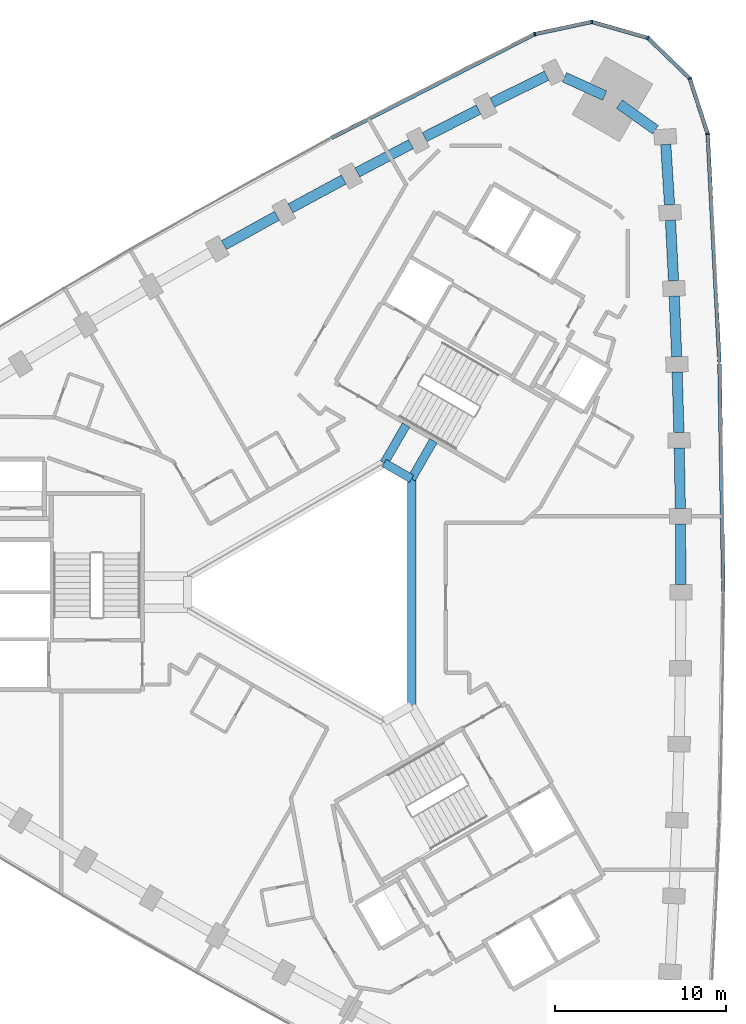
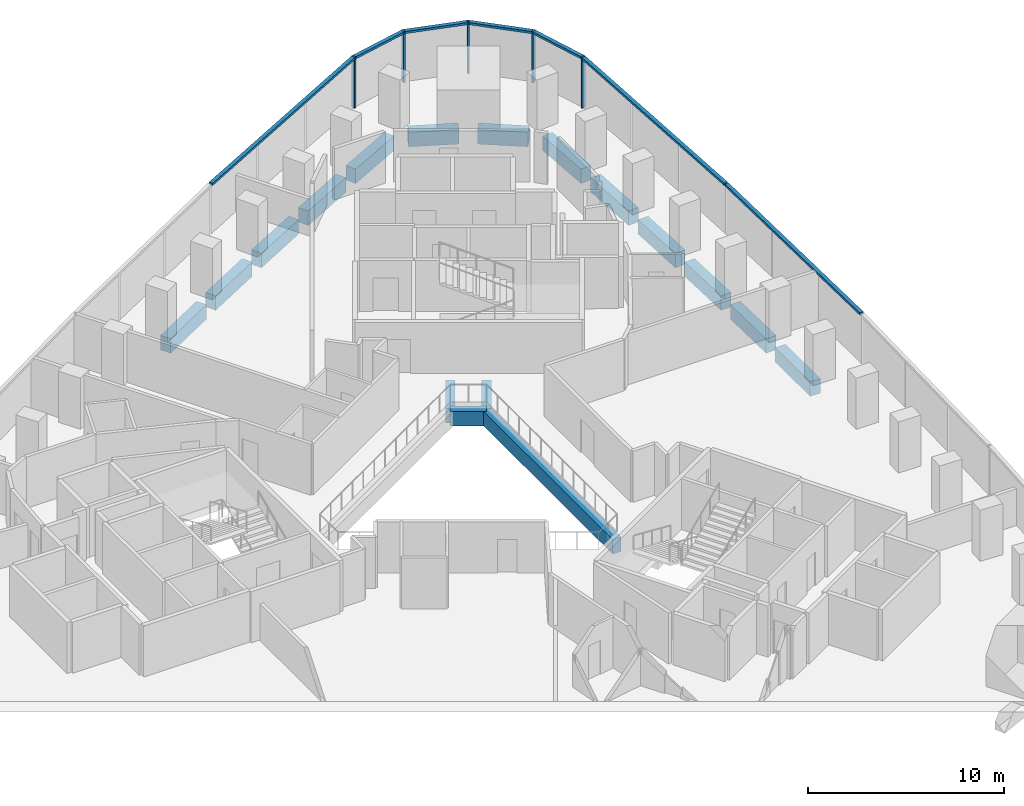
# One storey, part 5 of 12: 17 beams, 12 members, 2 elements without a shape of their own.
"""IFC4 building model written with IfcOpenShell, lengths in metres."""

from ifc_helpers import new_model, si_unit, direction, frame, origin, origin_2d, place, context, subcontext, project, spatial, rectangle, extrude, material, material_profile, profile_set, type_object, element, aggregate, save


model = new_model("IFC4")

# Units and contexts
model_context = context("Model", 3, precision=1e-05, world=origin(), true_north=direction((0.0, 1.0)))
body_context = subcontext(model_context, "Body", "Model", "MODEL_VIEW")
ifc_project = project(units=[si_unit("LENGTHUNIT", "METRE"), si_unit("AREAUNIT", "SQUARE_METRE"), si_unit("VOLUMEUNIT", "CUBIC_METRE"), si_unit("PLANEANGLEUNIT", "RADIAN"), si_unit("MASSUNIT", "GRAM", prefix="KILO")], contexts=[model_context])

# Site, building, storey
site_placement = place(None, origin())
site = spatial("IfcSite", under=ifc_project, at=site_placement, CompositionType="ELEMENT")
building_placement = place(site_placement, origin())
building = spatial("IfcBuilding", under=site, at=building_placement, Name="Tamra Quay Hotel Tower", CompositionType="ELEMENT")
storey_placement = place(building_placement, frame((0.0, 0.0, 104.60009765625)))
storey = spatial("IfcBuildingStorey", under=building, at=storey_placement, Name="L25", CompositionType="ELEMENT", Elevation=104.60009765625)

# Beams
ifc_material_1 = material(Name="Concrete M60", Category="concrete")
ifc_material_profile_1 = material_profile(ifc_material_1, rectangle(XDim=0.5, YDim=0.89990234375, at=origin_2d()), Name="ATRIUM EDGE BEAM RC 500x900")
ifc_profile_set_1 = profile_set([ifc_material_profile_1], Name="Concrete M60")
beam_type_1 = type_object("IfcBeamType", Name="ATRIUM EDGE BEAM RC 500x900", PredefinedType="BEAM", material=ifc_profile_set_1)
beam_1_placement = place(storey_placement, frame((4.89990234375, 6.639404296875, -0.875), z_axis=(0.0, -1.0, 0.0), x_axis=(1.0, 0.0, 0.0)))
element("IfcBeam", 1, at=beam_1_placement, inside=storey, type_object=beam_type_1, Name="BM-AB0-L25", PredefinedType="BEAM", context=body_context, shape_type="SweptSolid", body=[
    extrude(rectangle(XDim=0.5, YDim=0.89990234375, at=origin_2d()), origin(), (0.0, 0.0, 1.0), 13.27880859375),
])
beam_2_placement = place(storey_placement, frame((3.300048828125, 7.563232421875, -0.875), z_axis=(0.865989712182, -0.500061814573, 0.0), x_axis=(0.500061814573, 0.865989712182, 0.0)))
element("IfcBeam", 2, at=beam_2_placement, inside=storey, type_object=beam_type_1, Name="BM-AB5-L25", PredefinedType="BEAM", context=body_context, shape_type="SweptSolid", body=[
    extrude(rectangle(XDim=0.5, YDim=0.89990234375, at=origin_2d()), origin(), (0.0, 0.0, 1.0), 1.847412109375),
])
ifc_material_profile_2 = material_profile(ifc_material_1, rectangle(XDim=0.5, YDim=0.89990234375, at=origin_2d()), Name="ATRIUM TIE BEAM RC 500x900")
ifc_profile_set_2 = profile_set([ifc_material_profile_2], Name="Concrete M60")
beam_type_2 = type_object("IfcBeamType", Name="ATRIUM TIE BEAM RC 500x900", PredefinedType="BEAM", material=ifc_profile_set_2)
for number, where, z_axis, x_axis, name in (
    (3, (4.89990234375, 6.639404296875, -0.875), (0.50003311468, 0.866006284171, 0.0), (-0.866006284171, 0.50003311468, 0.0), "BM-TIE-0-L25"),
    (4, (3.300048828125, 7.563232421875, -0.875), (0.499961652204, 0.866047542763, 0.0), (-0.866047542763, 0.499961652204, 0.0), "BM-TIE-5-L25"),
):
    element("IfcBeam", number, at=place(storey_placement, frame(where, z_axis=z_axis, x_axis=x_axis)), inside=storey, type_object=beam_type_2, Name=name, PredefinedType="BEAM", context=body_context, shape_type="SweptSolid", body=[
        extrude(rectangle(XDim=0.5, YDim=0.89990234375, at=origin_2d()), origin(), (0.0, 0.0, 1.0), 2.562255859375),
    ])

# Curtain wall, members
ifc_material_2 = material(Name="Aluminium 6063 anodised dark grey", Category="aluminium")
curtain_wall_type_1 = type_object("IfcCurtainWallType", Name="CW1 CURTAIN WALL", PredefinedType="NOTDEFINED", material=ifc_material_2)
curtain_wall_1_placement = place(storey_placement, origin())
curtain_wall_1 = element("IfcCurtainWall", 5, at=curtain_wall_1_placement, inside=storey, type_object=curtain_wall_type_1, Name="CW1 east face L25", PredefinedType="NOTDEFINED")
ifc_material_profile_3 = material_profile(ifc_material_2, rectangle(XDim=0.219970703125, YDim=0.10009765625, at=origin_2d()), Name="MULLION 100X220")
ifc_profile_set_3 = profile_set([ifc_material_profile_3], Name="Aluminium 6063 anodised dark grey")
member_type_1 = type_object("IfcMemberType", Name="MULLION CW1 Z2", PredefinedType="MULLION", material=ifc_profile_set_3)
member_1_placement = place(storey_placement, frame((22.226318359375, 26.81787109375, 0.0), z_axis=(0.0, 0.0, 1.0), x_axis=(0.982419091866, 0.186688853275, 0.0)))
member_1 = element("IfcMember", 6, at=member_1_placement, type_object=member_type_1, Name="CW1 mullion L25.E.13", PredefinedType="MULLION", context=body_context, shape_type="SweptSolid", body=[
    extrude(rectangle(XDim=0.219970703125, YDim=0.10009765625, at=origin_2d()), origin(), (0.0, 0.0, 1.0), 3.1748046875),
])
member_2_placement = place(storey_placement, frame((21.1767578125, 30.062255859375, 0.0), z_axis=(0.0, 0.0, 1.0), x_axis=(0.848503146373, 0.529190334941, 0.0)))
member_2 = element("IfcMember", 7, at=member_2_placement, type_object=member_type_1, Name="CW1 mullion L25.E.14", PredefinedType="MULLION", context=body_context, shape_type="SweptSolid", body=[
    extrude(rectangle(XDim=0.219970703125, YDim=0.10009765625, at=origin_2d()), origin(), (0.0, 0.0, 1.0), 3.1748046875),
])
member_3_placement = place(storey_placement, frame((18.724853515625, 32.43212890625, 0.0), z_axis=(0.0, 0.0, 1.0), x_axis=(0.5, 0.866025403784, 0.0)))
member_3 = element("IfcMember", 8, at=member_3_placement, type_object=member_type_1, Name="CW1 mullion L25.E.15", PredefinedType="MULLION", context=body_context, shape_type="SweptSolid", body=[
    extrude(rectangle(XDim=0.219970703125, YDim=0.10009765625, at=origin_2d()), origin(), (0.0, 0.0, 1.0), 3.1748046875),
])
member_4_placement = place(storey_placement, frame((15.4462890625, 33.370849609375, 0.0), z_axis=(0.0, 0.0, 1.0), x_axis=(0.03404070031, 0.999420447421, 0.0)))
member_4 = element("IfcMember", 9, at=member_4_placement, type_object=member_type_1, Name="CW1 mullion L25.E.16", PredefinedType="MULLION", context=body_context, shape_type="SweptSolid", body=[
    extrude(rectangle(XDim=0.219970703125, YDim=0.10009765625, at=origin_2d()), origin(), (0.0, 0.0, 1.0), 3.1748046875),
])

# Curtain wall, member
curtain_wall_type_2 = type_object("IfcCurtainWallType", Name="CW2 CURTAIN WALL", PredefinedType="NOTDEFINED", material=ifc_material_2)
curtain_wall_2_placement = place(storey_placement, origin())
curtain_wall_2 = element("IfcCurtainWall", 10, at=curtain_wall_2_placement, inside=storey, type_object=curtain_wall_type_2, Name="CW2 north-west face L25", PredefinedType="NOTDEFINED")
ifc_material_profile_4 = material_profile(ifc_material_2, rectangle(XDim=0.219970703125, YDim=0.10009765625, at=origin_2d()), Name="MULLION 100X220")
ifc_profile_set_4 = profile_set([ifc_material_profile_4], Name="Aluminium 6063 anodised dark grey")
member_type_2 = type_object("IfcMemberType", Name="MULLION CW2 Z2", PredefinedType="MULLION", material=ifc_profile_set_4)
member_5_placement = place(storey_placement, frame((12.111572265625, 32.657470703125, 0.0), z_axis=(0.0, 0.0, 1.0), x_axis=(-0.329532256394, 0.944144317356, 0.0)))
member_5 = element("IfcMember", 11, at=member_5_placement, type_object=member_type_2, Name="CW2 mullion L25.NW.1", PredefinedType="MULLION", context=body_context, shape_type="SweptSolid", body=[
    extrude(rectangle(XDim=0.219970703125, YDim=0.10009765625, at=origin_2d()), origin(), (0.0, 0.0, 1.0), 3.1748046875),
])

# Beams
ifc_material_profile_5 = material_profile(ifc_material_1, rectangle(XDim=0.60009765625, YDim=0.89990234375, at=origin_2d()), Name="SPANDREL BEAM RC 600x900")
ifc_profile_set_5 = profile_set([ifc_material_profile_5], Name="Concrete M60")
beam_type_3 = type_object("IfcBeamType", Name="SPANDREL BEAM RC 600x900", PredefinedType="SPANDREL", material=ifc_profile_set_5)
beam_3_placement = place(storey_placement, frame((20.656494140625, 0.449951171875, -0.875), z_axis=(-0.005716160055, 0.999983662624, 0.0), x_axis=(-0.999983662624, -0.005716160055, 0.0)))
element("IfcBeam", 12, at=beam_3_placement, inside=storey, type_object=beam_type_3, Name="BM-SP2-006-L25", PredefinedType="SPANDREL", context=body_context, shape_type="SweptSolid", body=[
    extrude(rectangle(XDim=0.60009765625, YDim=0.89990234375, at=origin_2d()), origin(), (0.0, 0.0, 1.0), 3.544921875),
])
beam_4_placement = place(storey_placement, frame((20.6259765625, 4.894775390625, -0.875), z_axis=(-0.017149781635, 0.99985293168, 0.0), x_axis=(-0.99985293168, -0.017149781635, 0.0)))
element("IfcBeam", 13, at=beam_4_placement, inside=storey, type_object=beam_type_3, Name="BM-SP2-007-L25", PredefinedType="SPANDREL", context=body_context, shape_type="SweptSolid", body=[
    extrude(rectangle(XDim=0.60009765625, YDim=0.89990234375, at=origin_2d()), origin(), (0.0, 0.0, 1.0), 3.544677734375),
])
for number, where, z_axis, x_axis, name in (
    (14, (20.544677734375, 9.338623046875, -0.875), (-0.02858140136, 0.999591468299, 0.0), (-0.999591468299, -0.02858140136, 0.0), "BM-SP2-008-L25"),
    (15, (20.41259765625, 13.781494140625, -0.875), (-0.039946034354, 0.999201838639, 0.0), (-0.999201838639, -0.039946034354, 0.0), "BM-SP2-009-L25"),
):
    element("IfcBeam", number, at=place(storey_placement, frame(where, z_axis=z_axis, x_axis=x_axis)), inside=storey, type_object=beam_type_3, Name=name, PredefinedType="SPANDREL", context=body_context, shape_type="SweptSolid", body=[
        extrude(rectangle(XDim=0.60009765625, YDim=0.89990234375, at=origin_2d()), origin(), (0.0, 0.0, 1.0), 3.544921875),
    ])
beam_5_placement = place(storey_placement, frame((20.22998046875, 18.22265625, -0.875), z_axis=(-0.051311627905, 0.998682690769, 0.0), x_axis=(-0.998682690769, -0.051311627905, 0.0)))
element("IfcBeam", 16, at=beam_5_placement, inside=storey, type_object=beam_type_3, Name="BM-SP2-010-L25", PredefinedType="SPANDREL", context=body_context, shape_type="SweptSolid", body=[
    extrude(rectangle(XDim=0.60009765625, YDim=0.89990234375, at=origin_2d()), origin(), (0.0, 0.0, 1.0), 3.544677734375),
])
beam_6_placement = place(storey_placement, frame((19.99658203125, 22.661376953125, -0.875), z_axis=(-0.062669833409, 0.99803431403, 0.0), x_axis=(-0.99803431403, -0.062669833409, 0.0)))
element("IfcBeam", 17, at=beam_6_placement, inside=storey, type_object=beam_type_3, Name="BM-SP2-011-L25", PredefinedType="SPANDREL", context=body_context, shape_type="SweptSolid", body=[
    extrude(rectangle(XDim=0.60009765625, YDim=0.89990234375, at=origin_2d()), origin(), (0.0, 0.0, 1.0), 3.545166015625),
])
for number, where, z_axis, x_axis, name in (
    (18, (19.168701171875, 27.060302734375, -0.875), (-0.814339289036, 0.580389112865, 0.0), (-0.580389112865, -0.814339289036, 0.0), "BM-SP2-012-L25"),
    (19, (16.202392578125, 29.057861328125, -0.875), (-0.909819048293, 0.415005179923, 0.0), (-0.415005179923, -0.909819048293, 0.0), "BM-SP2-013-L25"),
):
    element("IfcBeam", number, at=place(storey_placement, frame(where, z_axis=z_axis, x_axis=x_axis)), inside=storey, type_object=beam_type_3, Name=name, PredefinedType="SPANDREL", context=body_context, shape_type="SweptSolid", body=[
        extrude(rectangle(XDim=0.60009765625, YDim=0.89990234375, at=origin_2d()), origin(), (0.0, 0.0, 1.0), 2.5849609375),
    ])
beam_7_placement = place(storey_placement, frame((12.802001953125, 30.22509765625, -0.875), z_axis=(-0.895622275285, -0.444815399928, 0.0), x_axis=(0.444815399928, -0.895622275285, 0.0)))
element("IfcBeam", 20, at=beam_7_placement, inside=storey, type_object=beam_type_3, Name="BM-SP2-014-L25", PredefinedType="SPANDREL", context=body_context, shape_type="SweptSolid", body=[
    extrude(rectangle(XDim=0.60009765625, YDim=0.89990234375, at=origin_2d()), origin(), (0.0, 0.0, 1.0), 3.545166015625),
])
beam_8_placement = place(storey_placement, frame((8.8232421875, 28.243408203125, -0.875), z_axis=(-0.890551251107, -0.45488291807, 0.0), x_axis=(0.45488291807, -0.890551251107, 0.0)))
element("IfcBeam", 21, at=beam_8_placement, inside=storey, type_object=beam_type_3, Name="BM-SP2-015-L25", PredefinedType="SPANDREL", context=body_context, shape_type="SweptSolid", body=[
    extrude(rectangle(XDim=0.60009765625, YDim=0.89990234375, at=origin_2d()), origin(), (0.0, 0.0, 1.0), 3.544921875),
])
beam_9_placement = place(storey_placement, frame((4.8671875, 26.216796875, -0.875), z_axis=(-0.885322773021, -0.464976975312, 0.0), x_axis=(0.464976975312, -0.885322773021, 0.0)))
element("IfcBeam", 22, at=beam_9_placement, inside=storey, type_object=beam_type_3, Name="BM-SP2-016-L25", PredefinedType="SPANDREL", context=body_context, shape_type="SweptSolid", body=[
    extrude(rectangle(XDim=0.60009765625, YDim=0.89990234375, at=origin_2d()), origin(), (0.0, 0.0, 1.0), 3.544677734375),
])
for number, where, z_axis, x_axis, name in (
    (23, (0.9345703125, 24.1455078125, -0.875), (-0.879950887438, -0.475064664753, 0.0), (0.475064664753, -0.879950887438, 0.0), "BM-SP2-017-L25"),
    (24, (-2.97412109375, 22.029296875, -0.875), (-0.874475461638, -0.48506975477, 0.0), (0.48506975477, -0.874475461638, 0.0), "BM-SP2-018-L25"),
):
    element("IfcBeam", number, at=place(storey_placement, frame(where, z_axis=z_axis, x_axis=x_axis)), inside=storey, type_object=beam_type_3, Name=name, PredefinedType="SPANDREL", context=body_context, shape_type="SweptSolid", body=[
        extrude(rectangle(XDim=0.60009765625, YDim=0.89990234375, at=origin_2d()), origin(), (0.0, 0.0, 1.0), 3.544921875),
    ])

# Member
ifc_material_profile_6 = material_profile(ifc_material_2, rectangle(XDim=0.219970703125, YDim=0.139892578125, at=origin_2d()), Name="TRANSOM 220X140")
ifc_profile_set_6 = profile_set([ifc_material_profile_6], Name="Aluminium 6063 anodised dark grey")
member_type_3 = type_object("IfcMemberType", Name="TRANSOM CW1 Z2", PredefinedType="USERDEFINED", material=ifc_profile_set_6)
member_6_placement = place(storey_placement, frame((23.14453125, 0.050048828125, 3.10498046875), z_axis=(-0.017138663343, 0.999853122323, 0.0), x_axis=(-0.999853122323, -0.017138663343, 0.0)))
member_6 = element("IfcMember", 25, at=member_6_placement, type_object=member_type_3, Name="CW1 transom L25.E.7", ObjectType="TRANSOM", PredefinedType="USERDEFINED", context=body_context, shape_type="SweptSolid", body=[
    extrude(rectangle(XDim=0.219970703125, YDim=0.139892578125, at=origin_2d()), origin(), (0.0, 0.0, 1.0), 13.319091796875),
])

member_7_placement = place(storey_placement, frame((22.912841796875, 13.46728515625, 3.10498046875), z_axis=(-0.051309919366, 0.998682778551, 0.0), x_axis=(-0.998682778551, -0.051309919366, 0.0)))
member_7 = element("IfcMember", 26, at=member_7_placement, type_object=member_type_3, Name="CW1 transom L25.E.10", ObjectType="TRANSOM", PredefinedType="USERDEFINED", context=body_context, shape_type="SweptSolid", body=[
    extrude(rectangle(XDim=0.219970703125, YDim=0.139892578125, at=origin_2d()), origin(), (0.0, 0.0, 1.0), 13.318115234375),
])

member_8_placement = place(storey_placement, frame((22.2109375, 26.865234375, 3.10498046875), z_axis=(-0.307784937637, 0.951455953875, 0.0), x_axis=(-0.951455953875, -0.307784937637, 0.0)))
member_8 = element("IfcMember", 27, at=member_8_placement, type_object=member_type_3, Name="CW1 transom L25.E.13", ObjectType="TRANSOM", PredefinedType="USERDEFINED", context=body_context, shape_type="SweptSolid", body=[
    extrude(rectangle(XDim=0.219970703125, YDim=0.139892578125, at=origin_2d()), origin(), (0.0, 0.0, 1.0), 3.31005859375),
])

member_9_placement = place(storey_placement, frame((21.140869140625, 30.09716796875, 3.10498046875), z_axis=(-0.719063315741, 0.694944564664, 0.0), x_axis=(-0.694944564664, -0.719063315741, 0.0)))
member_9 = element("IfcMember", 28, at=member_9_placement, type_object=member_type_3, Name="CW1 transom L25.E.14", ObjectType="TRANSOM", PredefinedType="USERDEFINED", context=body_context, shape_type="SweptSolid", body=[
    extrude(rectangle(XDim=0.219970703125, YDim=0.139892578125, at=origin_2d()), origin(), (0.0, 0.0, 1.0), 3.31005859375),
])

member_10_placement = place(storey_placement, frame((18.6767578125, 32.446044921875, 3.10498046875), z_axis=(-0.961393028347, 0.275178932778, 0.0), x_axis=(-0.275178932778, -0.961393028347, 0.0)))
member_10 = element("IfcMember", 29, at=member_10_placement, type_object=member_type_3, Name="CW1 transom L25.E.15", ObjectType="TRANSOM", PredefinedType="USERDEFINED", context=body_context, shape_type="SweptSolid", body=[
    extrude(rectangle(XDim=0.219970703125, YDim=0.139892578125, at=origin_2d()), origin(), (0.0, 0.0, 1.0), 3.31005859375),
])

member_11_placement = place(storey_placement, frame((15.3974609375, 33.3603515625, 3.10498046875), z_axis=(-0.977877907042, -0.209176477928, 0.0), x_axis=(0.209176477928, -0.977877907042, 0.0)))
member_11 = element("IfcMember", 30, at=member_11_placement, type_object=member_type_3, Name="CW1 transom L25.E.16", ObjectType="TRANSOM", PredefinedType="USERDEFINED", context=body_context, shape_type="SweptSolid", body=[
    extrude(rectangle(XDim=0.219970703125, YDim=0.139892578125, at=origin_2d()), origin(), (0.0, 0.0, 1.0), 3.31005859375),
])

aggregate(curtain_wall_1, [member_6, member_7, member_1, member_8, member_2, member_9, member_3, member_10, member_4, member_11])

ifc_material_profile_7 = material_profile(ifc_material_2, rectangle(XDim=0.219970703125, YDim=0.139892578125, at=origin_2d()), Name="TRANSOM 220X140")
ifc_profile_set_7 = profile_set([ifc_material_profile_7], Name="Aluminium 6063 anodised dark grey")
member_type_4 = type_object("IfcMemberType", Name="TRANSOM CW2 Z2", PredefinedType="USERDEFINED", material=ifc_profile_set_7)
member_12_placement = place(storey_placement, frame((12.06689453125, 32.63525390625, 3.10498046875), z_axis=(-0.890537010915, -0.45491079586, 0.0), x_axis=(0.45491079586, -0.890537010915, 0.0)))
member_12 = element("IfcMember", 31, at=member_12_placement, type_object=member_type_4, Name="CW2 transom L25.NW.1", ObjectType="TRANSOM", PredefinedType="USERDEFINED", context=body_context, shape_type="SweptSolid", body=[
    extrude(rectangle(XDim=0.219970703125, YDim=0.139892578125, at=origin_2d()), origin(), (0.0, 0.0, 1.0), 13.318115234375),
])

aggregate(curtain_wall_2, [member_5, member_12])

save(model, "model.ifc")
